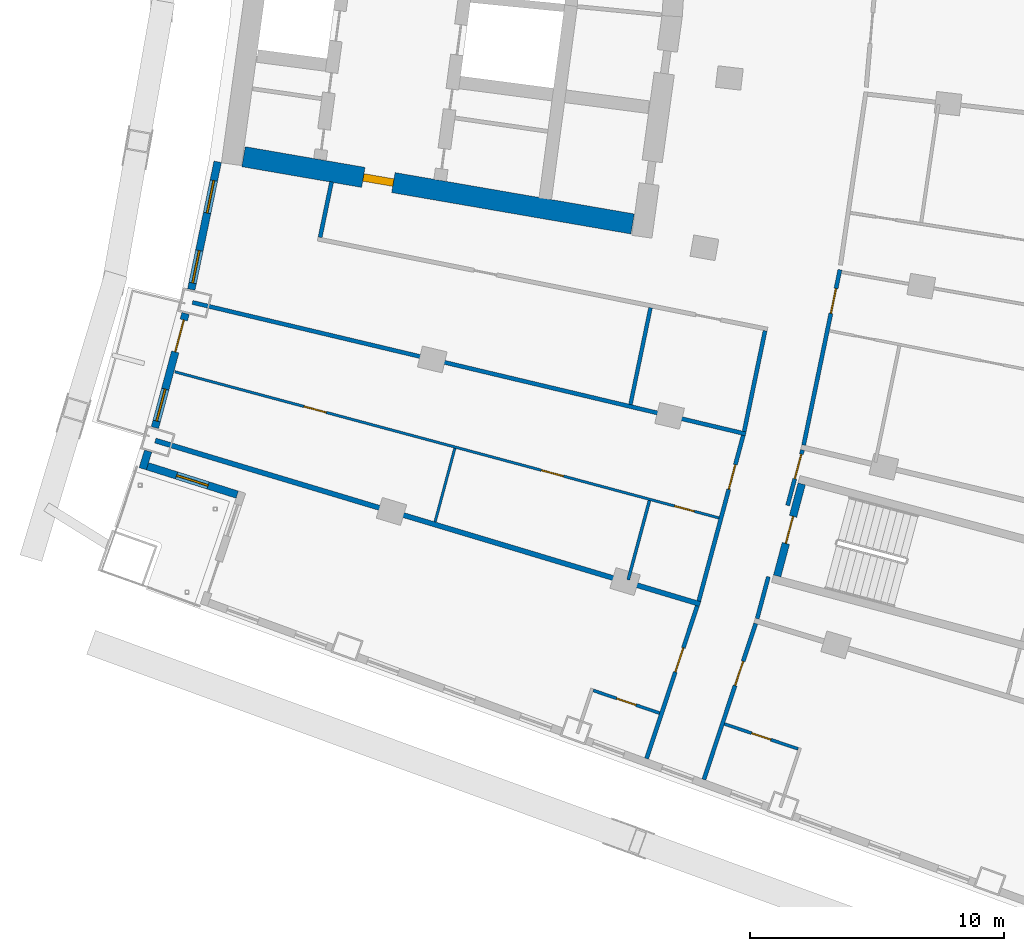
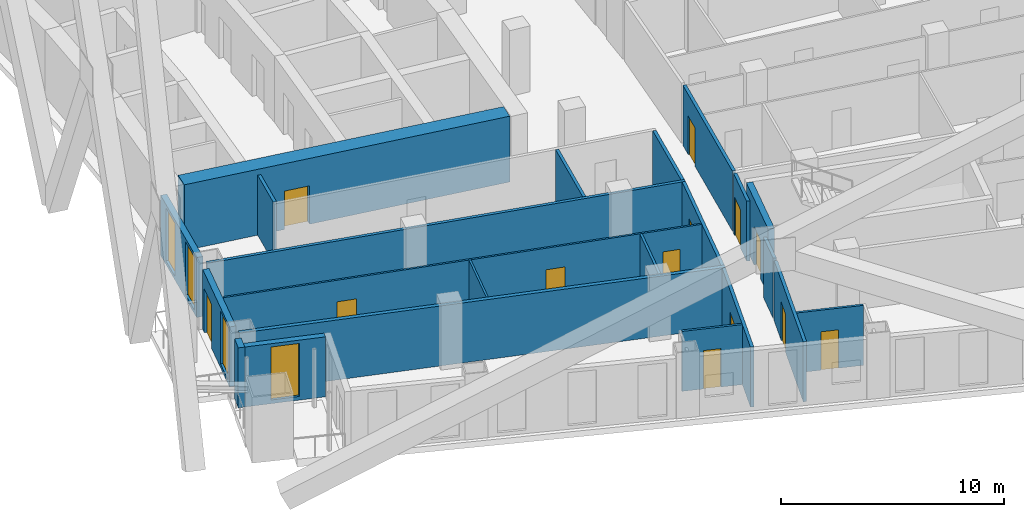
# One storey, part 14 of 26: 22 walls, 13 doors, 4 windows, 17 openings.
"""IFC4 building model written with IfcOpenShell, lengths in metres."""

from ifc_helpers import new_model, si_unit, direction, frame, frame_2d, origin, place, context, subcontext, project, spatial, rectangle, extrude, material, layer, layer_set, type_object, element, fill, save


model = new_model("IFC4")

# Units and contexts
model_context = context("Model", 3, precision=1e-05, world=origin(), true_north=direction((0.0, 1.0)))
body_context = subcontext(model_context, "Body", "Model", "MODEL_VIEW")
ifc_project = project(units=[si_unit("LENGTHUNIT", "METRE"), si_unit("AREAUNIT", "SQUARE_METRE"), si_unit("VOLUMEUNIT", "CUBIC_METRE"), si_unit("PLANEANGLEUNIT", "RADIAN"), si_unit("MASSUNIT", "GRAM", prefix="KILO")], contexts=[model_context])

# Site, building, storey
site_placement = place(None, origin())
site = spatial("IfcSite", under=ifc_project, at=site_placement, CompositionType="ELEMENT")
building_placement = place(site_placement, origin())
building = spatial("IfcBuilding", under=site, at=building_placement, Name="Alderwake Tower", CompositionType="ELEMENT")
storey_placement = place(building_placement, frame((0.0, 0.0, 82.39990234375)))
storey = spatial("IfcBuildingStorey", under=building, at=storey_placement, Name="L19", CompositionType="ELEMENT", Elevation=82.39990234375)

# Wall, opening, door
ifc_material_1 = material(Name="Concrete C70/85", Category="concrete")
ifc_layer_1 = layer(ifc_material_1, 0.800048828125)
ifc_layer_set_1 = layer_set([ifc_layer_1], Name="Core wall outer 800 C70-85")
wall_type_1 = type_object("IfcWallType", Name="Core wall outer 800 C70-85", PredefinedType="SHEAR", material=ifc_layer_set_1)
wall_1_placement = place(storey_placement, frame((31.20458984375, 41.776611328125, 0.0), z_axis=(0.0, 0.0, 1.0), x_axis=(-0.985386537175, 0.170333121719, 0.0)))
wall_1 = element("IfcWall", 1, at=wall_1_placement, inside=storey, type_object=wall_type_1, Name="Core wall CW.071", PredefinedType="SHEAR", context=body_context, shape_type="SweptSolid", body=[
    extrude(rectangle(XDim=15.537109375, YDim=0.800048828125, at=frame_2d((7.7685546875, 0.0))), origin(), (0.0, 0.0, 1.0), 3.60009765625),
])
opening_1_placement = place(wall_1_placement, frame((9.5537109375, 0.0, 0.0)))
opening_1 = element("IfcOpeningElement", 2, at=opening_1_placement, cuts=wall_1, Name="Opening C003", PredefinedType="OPENING", context=body_context, shape_type="SweptSolid", body=[
    extrude(rectangle(XDim=1.199951171875, YDim=2.10009765625, at=frame_2d((0.60009765625, 1.050048828125))), frame((0.0, 0.409912109375, 0.0), z_axis=(0.0, -1.0, 0.0), x_axis=(1.0, 0.0, 0.0)), (0.0, 0.0, 1.0), 0.820068359375),
])
ifc_material_2 = material(Name="Steel-framed fire door leaf", Category="steel")
door_type_1 = type_object("IfcDoorType", Name="Core lobby exit door 1200 fire-rated", OperationType="SINGLE_SWING_LEFT", PredefinedType="DOOR", material=ifc_material_2)
door_1_placement = place(opening_1_placement, origin())
door_1 = element("IfcDoor", 3, at=door_1_placement, inside=storey, type_object=door_type_1, Name="Lobby door", OperationType="SINGLE_SWING_LEFT", OverallHeight=2.10009765625, OverallWidth=1.199951171875, PredefinedType="DOOR", context=body_context, shape_type="SweptSolid", body=[
    extrude(rectangle(XDim=1.199951171875, YDim=2.10009765625, at=frame_2d((0.60009765625, 1.050048828125))), frame((0.0, 0.14990234375, 0.0), z_axis=(0.0, -1.0, 0.0), x_axis=(1.0, 0.0, 0.0)), (0.0, 0.0, 1.0), 0.300048828125),
])
fill(opening_1, door_1)

ifc_material_3 = material(Name="Concrete C70/85", Category="concrete")
ifc_layer_2 = layer(ifc_material_3, 0.300048828125)
ifc_layer_set_2 = layer_set([ifc_layer_2], Name="Core wall stair enclosure 300 C70-85")
wall_type_2 = type_object("IfcWallType", Name="Core wall stair enclosure 300 C70-85", PredefinedType="SHEAR", material=ifc_layer_set_2)
wall_2_placement = place(storey_placement, frame((36.89501953125, 27.923828125, 0.0), z_axis=(0.0, 0.0, 1.0), x_axis=(0.257350630826, 0.966318090907, 0.0)))
wall_2 = element("IfcWall", 4, at=wall_2_placement, inside=storey, type_object=wall_type_2, Name="Core wall CW.087", PredefinedType="SHEAR", context=body_context, shape_type="SweptSolid", body=[
    extrude(rectangle(XDim=3.75, YDim=0.300048828125, at=frame_2d((1.875, 0.0))), origin(), (0.0, 0.0, 1.0), 3.60009765625),
])
opening_2_placement = place(wall_2_placement, frame((1.324951171875, 0.0, 0.0)))
opening_2 = element("IfcOpeningElement", 5, at=opening_2_placement, cuts=wall_2, Name="Opening C065", PredefinedType="OPENING", context=body_context, shape_type="SweptSolid", body=[
    extrude(rectangle(XDim=1.10009765625, YDim=2.10009765625, at=frame_2d((0.550048828125, 1.050048828125))), frame((0.0, 0.159912109375, 0.0), z_axis=(0.0, -1.0, 0.0), x_axis=(1.0, 0.0, 0.0)), (0.0, 0.0, 1.0), 0.320068359375),
])
ifc_material_4 = material(Name="Steel-framed fire door leaf", Category="steel")
door_type_2 = type_object("IfcDoorType", Name="Core stair door 1100 fire-rated", OperationType="SINGLE_SWING_LEFT", PredefinedType="DOOR", material=ifc_material_4)
door_2_placement = place(opening_2_placement, origin())
door_2 = element("IfcDoor", 6, at=door_2_placement, inside=storey, type_object=door_type_2, Name="Stair door", OperationType="SINGLE_SWING_RIGHT", OverallHeight=2.10009765625, OverallWidth=1.10009765625, PredefinedType="DOOR", context=body_context, shape_type="SweptSolid", body=[
    extrude(rectangle(XDim=1.10009765625, YDim=2.10009765625, at=frame_2d((0.550048828125, 1.050048828125))), frame((0.0, 0.02490234375, 0.0), z_axis=(0.0, -1.0, 0.0), x_axis=(1.0, 0.0, 0.0)), (0.0, 0.0, 1.0), 0.050048828125),
])
fill(opening_2, door_2)

# Walls
ifc_material_5 = material(Name="Gypsum board on metal studs, rated")
ifc_layer_3 = layer(ifc_material_5, 0.159912109375)
ifc_layer_set_3 = layer_set([ifc_layer_3], Name="Corridor wall 160")
wall_type_3 = type_object("IfcWallType", Name="Corridor wall 160", PredefinedType="PARTITIONING", material=ifc_layer_set_3)
wall_3_placement = place(storey_placement, frame((13.884033203125, 38.68798828125, 0.0), z_axis=(0.0, 0.0, 1.0), x_axis=(0.972893462073, -0.231253781493, 0.0)))
element("IfcWall", 7, at=wall_3_placement, inside=storey, type_object=wall_type_3, Name="WL/L19/W15", PredefinedType="PARTITIONING", context=body_context, shape_type="SweptSolid", body=[
    extrude(rectangle(XDim=22.38037109375, YDim=0.159912109375, at=frame_2d((11.190185546875, 0.0))), origin(), (0.0, 0.0, 1.0), 3.280029296875),
])
wall_4_placement = place(storey_placement, frame((19.35888671875, 43.430908203125, 0.0), z_axis=(0.0, 0.0, 1.0), x_axis=(-0.202554916658, -0.979270905183, 0.0)))
element("IfcWall", 8, at=wall_4_placement, inside=storey, type_object=wall_type_3, Name="WL/L19/W19", PredefinedType="PARTITIONING", context=body_context, shape_type="SweptSolid", body=[
    extrude(rectangle(XDim=2.229736328125, YDim=0.159912109375, at=frame_2d((1.11474609375, 0.0))), origin(), (0.0, 0.0, 1.0), 3.280029296875),
])

# Wall, opening, door
wall_5_placement = place(storey_placement, frame((31.7548828125, 20.739013671875, 0.0), z_axis=(0.0, 0.0, 1.0), x_axis=(0.31554473692, 0.948910701279, 0.0)))
wall_5 = element("IfcWall", 9, at=wall_5_placement, inside=storey, type_object=wall_type_3, Name="WL/L19/W21", PredefinedType="PARTITIONING", context=body_context, shape_type="SweptSolid", body=[
    extrude(rectangle(XDim=6.327392578125, YDim=0.159912109375, at=frame_2d((3.16357421875, 0.0))), origin(), (0.0, 0.0, 1.0), 3.280029296875),
])
opening_3_placement = place(wall_5_placement, frame((3.59130859375, 0.0, 0.0)))
opening_3 = element("IfcOpeningElement", 10, at=opening_3_placement, cuts=wall_5, Name="Opening R05-U09.1", PredefinedType="OPENING", context=body_context, shape_type="SweptSolid", body=[
    extrude(rectangle(XDim=1.0, YDim=2.10009765625, at=frame_2d((0.5, 1.050048828125))), frame((0.0, 0.08984375, 0.0), z_axis=(0.0, -1.0, 0.0), x_axis=(1.0, 0.0, 0.0)), (0.0, 0.0, 1.0), 0.179931640625),
])
ifc_material_6 = material(Name="Solid timber leaf in steel frame", Category="steel")
door_type_3 = type_object("IfcDoorType", Name="Flat entrance door 1000 fire-rated", OperationType="SINGLE_SWING_LEFT", PredefinedType="DOOR", material=ifc_material_6)
door_3_placement = place(opening_3_placement, origin())
door_3 = element("IfcDoor", 11, at=door_3_placement, inside=storey, type_object=door_type_3, Name="DR/L19/U09.1", OperationType="SINGLE_SWING_LEFT", OverallHeight=2.10009765625, OverallWidth=1.0, PredefinedType="DOOR", context=body_context, shape_type="SweptSolid", body=[
    extrude(rectangle(XDim=1.0, YDim=2.10009765625, at=frame_2d((0.5, 1.050048828125))), frame((0.0, 0.02490234375, 0.0), z_axis=(0.0, -1.0, 0.0), x_axis=(1.0, 0.0, 0.0)), (0.0, 0.0, 1.0), 0.050048828125),
])
fill(opening_3, door_3)

wall_6_placement = place(storey_placement, frame((33.808837890625, 26.9345703125, 0.0), z_axis=(0.0, 0.0, 1.0), x_axis=(0.259298911818, 0.965797118618, 0.0)))
wall_6 = element("IfcWall", 12, at=wall_6_placement, inside=storey, type_object=wall_type_3, Name="WL/L19/W22", PredefinedType="PARTITIONING", context=body_context, shape_type="SweptSolid", body=[
    extrude(rectangle(XDim=6.75, YDim=0.159912109375, at=frame_2d((3.375, 0.0))), origin(), (0.0, 0.0, 1.0), 3.280029296875),
])
opening_4_placement = place(wall_6_placement, frame((4.5576171875, 0.0, 0.0)))
opening_4 = element("IfcOpeningElement", 13, at=opening_4_placement, cuts=wall_6, Name="Opening R05-U10.2", PredefinedType="OPENING", context=body_context, shape_type="SweptSolid", body=[
    extrude(rectangle(XDim=1.0, YDim=2.10009765625, at=frame_2d((0.5, 1.050048828125))), frame((0.0, 0.08984375, 0.0), z_axis=(0.0, -1.0, 0.0), x_axis=(1.0, 0.0, 0.0)), (0.0, 0.0, 1.0), 0.179931640625),
])
door_4_placement = place(opening_4_placement, origin())
door_4 = element("IfcDoor", 14, at=door_4_placement, inside=storey, type_object=door_type_3, Name="DR/L19/U10.2", OperationType="SINGLE_SWING_LEFT", OverallHeight=2.10009765625, OverallWidth=1.0, PredefinedType="DOOR", context=body_context, shape_type="SweptSolid", body=[
    extrude(rectangle(XDim=1.0, YDim=2.10009765625, at=frame_2d((0.5, 1.050048828125))), frame((0.0, 0.02490234375, 0.0), z_axis=(0.0, -1.0, 0.0), x_axis=(1.0, 0.0, 0.0)), (0.0, 0.0, 1.0), 0.050048828125),
])
fill(opening_4, door_4)

wall_7_placement = place(storey_placement, frame((36.049560546875, 26.052978515625, 0.0), z_axis=(0.0, 0.0, 1.0), x_axis=(-0.315151894598, -0.949041244273, 0.0)))
wall_7 = element("IfcWall", 15, at=wall_7_placement, inside=storey, type_object=wall_type_3, Name="WL/L19/W24", PredefinedType="PARTITIONING", context=body_context, shape_type="SweptSolid", body=[
    extrude(rectangle(XDim=6.468505859375, YDim=0.159912109375, at=frame_2d((3.234375, 0.0))), origin(), (0.0, 0.0, 1.0), 3.280029296875),
])
opening_5_placement = place(wall_7_placement, frame((1.570068359375, 0.0, 0.0)))
opening_5 = element("IfcOpeningElement", 16, at=opening_5_placement, cuts=wall_7, Name="Opening R05-U03.1", PredefinedType="OPENING", context=body_context, shape_type="SweptSolid", body=[
    extrude(rectangle(XDim=1.0, YDim=2.10009765625, at=frame_2d((0.5, 1.050048828125))), frame((0.0, 0.08984375, 0.0), z_axis=(0.0, -1.0, 0.0), x_axis=(1.0, 0.0, 0.0)), (0.0, 0.0, 1.0), 0.179931640625),
])
door_5_placement = place(opening_5_placement, origin())
door_5 = element("IfcDoor", 17, at=door_5_placement, inside=storey, type_object=door_type_3, Name="DR/L19/U03.1", OperationType="SINGLE_SWING_LEFT", OverallHeight=2.10009765625, OverallWidth=1.0, PredefinedType="DOOR", context=body_context, shape_type="SweptSolid", body=[
    extrude(rectangle(XDim=1.0, YDim=2.10009765625, at=frame_2d((0.5, 1.050048828125))), frame((0.0, 0.02490234375, 0.0), z_axis=(0.0, -1.0, 0.0), x_axis=(1.0, 0.0, 0.0)), (0.0, 0.0, 1.0), 0.050048828125),
])
fill(opening_5, door_5)

# Walls
wall_8_placement = place(storey_placement, frame((36.10693359375, 26.24462890625, 0.0), z_axis=(0.0, 0.0, 1.0), x_axis=(0.259346865847, 0.965784242559, 0.0)))
element("IfcWall", 18, at=wall_8_placement, inside=storey, type_object=wall_type_3, Name="WL/L19/W26", PredefinedType="PARTITIONING", context=body_context, shape_type="SweptSolid", body=[
    extrude(rectangle(XDim=1.704833984375, YDim=0.159912109375, at=frame_2d((0.8525390625, 0.0))), origin(), (0.0, 0.0, 1.0), 3.280029296875),
])
wall_9_placement = place(storey_placement, frame((36.418701171875, 37.57177734375, 0.0), z_axis=(0.0, 0.0, 1.0), x_axis=(-0.203245920818, -0.979127721838, 0.0)))
element("IfcWall", 19, at=wall_9_placement, inside=storey, type_object=wall_type_3, Name="WL/L19/W28", PredefinedType="PARTITIONING", context=body_context, shape_type="SweptSolid", body=[
    extrude(rectangle(XDim=4.046875, YDim=0.159912109375, at=frame_2d((2.0234375, 0.0))), origin(), (0.0, 0.0, 1.0), 3.280029296875),
])

# Wall, opening, door
wall_10_placement = place(storey_placement, frame((37.89111328125, 32.87939453125, 0.0), z_axis=(0.0, 0.0, 1.0), x_axis=(-0.259620578816, -0.965710699462, 0.0)))
wall_10 = element("IfcWall", 20, at=wall_10_placement, inside=storey, type_object=wall_type_3, Name="WL/L19/W31", PredefinedType="PARTITIONING", context=body_context, shape_type="SweptSolid", body=[
    extrude(rectangle(XDim=2.2578125, YDim=0.159912109375, at=frame_2d((1.12890625, 0.0))), origin(), (0.0, 0.0, 1.0), 3.280029296875),
])
opening_6_placement = place(wall_10_placement, frame((0.1708984375, 0.0, 0.0)))
opening_6 = element("IfcOpeningElement", 21, at=opening_6_placement, cuts=wall_10, Name="Opening R05-U01.1", PredefinedType="OPENING", context=body_context, shape_type="SweptSolid", body=[
    extrude(rectangle(XDim=1.0, YDim=2.10009765625, at=frame_2d((0.5, 1.050048828125))), frame((0.0, 0.08984375, 0.0), z_axis=(0.0, -1.0, 0.0), x_axis=(1.0, 0.0, 0.0)), (0.0, 0.0, 1.0), 0.179931640625),
])
door_6_placement = place(opening_6_placement, origin())
door_6 = element("IfcDoor", 22, at=door_6_placement, inside=storey, type_object=door_type_3, Name="DR/L19/U01.1", OperationType="SINGLE_SWING_LEFT", OverallHeight=2.10009765625, OverallWidth=1.0, PredefinedType="DOOR", context=body_context, shape_type="SweptSolid", body=[
    extrude(rectangle(XDim=1.0, YDim=2.10009765625, at=frame_2d((0.5, 1.050048828125))), frame((0.0, 0.02490234375, 0.0), z_axis=(0.0, -1.0, 0.0), x_axis=(1.0, 0.0, 0.0)), (0.0, 0.0, 1.0), 0.050048828125),
])
fill(opening_6, door_6)

wall_11_placement = place(storey_placement, frame((39.3642578125, 39.975341796875, 0.0), z_axis=(0.0, 0.0, 1.0), x_axis=(-0.202487611378, -0.979284824368, 0.0)))
wall_11 = element("IfcWall", 23, at=wall_11_placement, inside=storey, type_object=wall_type_3, Name="WL/L19/W32", PredefinedType="PARTITIONING", context=body_context, shape_type="SweptSolid", body=[
    extrude(rectangle(XDim=7.04736328125, YDim=0.159912109375, at=frame_2d((3.523681640625, 0.0))), origin(), (0.0, 0.0, 1.0), 3.280029296875),
])
opening_7_placement = place(wall_11_placement, frame((0.7568359375, 0.0, 0.0)))
opening_7 = element("IfcOpeningElement", 24, at=opening_7_placement, cuts=wall_11, Name="Opening R05-U05.2", PredefinedType="OPENING", context=body_context, shape_type="SweptSolid", body=[
    extrude(rectangle(XDim=1.0, YDim=2.10009765625, at=frame_2d((0.5, 1.050048828125))), frame((0.0, 0.08984375, 0.0), z_axis=(0.0, -1.0, 0.0), x_axis=(1.0, 0.0, 0.0)), (0.0, 0.0, 1.0), 0.179931640625),
])
door_7_placement = place(opening_7_placement, origin())
door_7 = element("IfcDoor", 25, at=door_7_placement, inside=storey, type_object=door_type_3, Name="DR/L19/U05.2", OperationType="SINGLE_SWING_LEFT", OverallHeight=2.10009765625, OverallWidth=1.0, PredefinedType="DOOR", context=body_context, shape_type="SweptSolid", body=[
    extrude(rectangle(XDim=1.0, YDim=2.10009765625, at=frame_2d((0.5, 1.050048828125))), frame((0.0, 0.02490234375, 0.0), z_axis=(0.0, -1.0, 0.0), x_axis=(1.0, 0.0, 0.0)), (0.0, 0.0, 1.0), 0.050048828125),
])
fill(opening_7, door_7)

# Wall
ifc_material_7 = material(Name="Precast concrete C50/60 spandrel panel", Category="concrete")
ifc_layer_4 = layer(ifc_material_7, 0.300048828125)
ifc_layer_set_4 = layer_set([ifc_layer_4], Name="External wall EW1 Precast concrete C50/60 spandrel")
wall_type_4 = type_object("IfcWallType", Name="External wall EW1 Precast concrete C50/60 spandrel", PredefinedType="SOLIDWALL", material=ifc_layer_set_4)
wall_12_placement = place(storey_placement, frame((12.14013671875, 32.83837890625, 0.0), z_axis=(0.0, 0.0, 1.0), x_axis=(-0.294604532955, -0.955619259518, 0.0)))
element("IfcWall", 26, at=wall_12_placement, inside=storey, type_object=wall_type_4, Name="External wall 1", PredefinedType="SOLIDWALL", context=body_context, shape_type="SweptSolid", body=[
    extrude(rectangle(XDim=0.7275390625, YDim=0.300048828125, at=frame_2d((0.36376953125, 0.0))), origin(), (0.0, 0.0, 1.0), 3.280029296875),
])

# Wall, openings, windows
wall_13_placement = place(storey_placement, frame((14.878173828125, 44.223388671875, 0.0), z_axis=(0.0, 0.0, 1.0), x_axis=(-0.202723539143, -0.979236011734, 0.0)))
wall_13 = element("IfcWall", 27, at=wall_13_placement, inside=storey, type_object=wall_type_4, Name="External wall 35", PredefinedType="SOLIDWALL", context=body_context, shape_type="SweptSolid", body=[
    extrude(rectangle(XDim=5.134033203125, YDim=0.300048828125, at=frame_2d((2.56689453125, 0.0))), origin(), (0.0, 0.0, 1.0), 3.280029296875),
])
opening_8_placement = place(wall_13_placement, frame((0.75634765625, 0.0, 0.199951171875)))
opening_8 = element("IfcOpeningElement", 28, at=opening_8_placement, cuts=wall_13, Name="Opening W1", PredefinedType="OPENING", context=body_context, shape_type="SweptSolid", body=[
    extrude(rectangle(XDim=1.300048828125, YDim=2.89990234375, at=frame_2d((0.64990234375, 1.449951171875))), frame((0.0, 0.159912109375, 0.0), z_axis=(0.0, -1.0, 0.0), x_axis=(1.0, 0.0, 0.0)), (0.0, 0.0, 1.0), 0.320068359375),
])
opening_9_placement = place(wall_13_placement, frame((3.569091796875, 0.0, 0.199951171875)))
opening_9 = element("IfcOpeningElement", 29, at=opening_9_placement, cuts=wall_13, Name="Opening W1", PredefinedType="OPENING", context=body_context, shape_type="SweptSolid", body=[
    extrude(rectangle(XDim=1.300048828125, YDim=2.89990234375, at=frame_2d((0.64990234375, 1.449951171875))), frame((0.0, 0.159912109375, 0.0), z_axis=(0.0, -1.0, 0.0), x_axis=(1.0, 0.0, 0.0)), (0.0, 0.0, 1.0), 0.320068359375),
])
ifc_material_8 = material(Name="Bronze tinted glass in aluminium frame", Category="aluminium")
window_type = type_object("IfcWindowType", Name="Window W1 tall fixed and vent", PartitioningType="DOUBLE_PANEL_VERTICAL", PredefinedType="WINDOW", material=ifc_material_8)
window_1_placement = place(opening_8_placement, origin())
window_1 = element("IfcWindow", 30, at=window_1_placement, inside=storey, type_object=window_type, Name="Window W1 tall fixed and vent", OverallHeight=2.89990234375, OverallWidth=1.300048828125, PartitioningType="DOUBLE_PANEL_VERTICAL", PredefinedType="WINDOW", context=body_context, shape_type="SweptSolid", body=[
    extrude(rectangle(XDim=1.300048828125, YDim=2.89990234375, at=frame_2d((0.64990234375, 1.449951171875))), frame((0.0, 0.030029296875, 0.0), z_axis=(0.0, -1.0, 0.0), x_axis=(1.0, 0.0, 0.0)), (0.0, 0.0, 1.0), 0.06005859375),
])
fill(opening_8, window_1)
window_2_placement = place(opening_9_placement, origin())
window_2 = element("IfcWindow", 31, at=window_2_placement, inside=storey, type_object=window_type, Name="Window W1 tall fixed and vent", OverallHeight=2.89990234375, OverallWidth=1.300048828125, PartitioningType="DOUBLE_PANEL_VERTICAL", PredefinedType="WINDOW", context=body_context, shape_type="SweptSolid", body=[
    extrude(rectangle(XDim=1.300048828125, YDim=2.89990234375, at=frame_2d((0.64990234375, 1.449951171875))), frame((0.0, 0.030029296875, 0.0), z_axis=(0.0, -1.0, 0.0), x_axis=(1.0, 0.0, 0.0)), (0.0, 0.0, 1.0), 0.06005859375),
])
fill(opening_9, window_2)

# Wall, openings, door, window
wall_14_placement = place(storey_placement, frame((13.61328125, 38.254150390625, 0.0), z_axis=(0.0, 0.0, 1.0), x_axis=(-0.259468933642, -0.965751454814, 0.0)))
wall_14 = element("IfcWall", 32, at=wall_14_placement, inside=storey, type_object=wall_type_4, Name="External wall 36", PredefinedType="SOLIDWALL", context=body_context, shape_type="SweptSolid", body=[
    extrude(rectangle(XDim=4.65087890625, YDim=0.300048828125, at=frame_2d((2.325439453125, 0.0))), origin(), (0.0, 0.0, 1.0), 3.280029296875),
])
opening_10_placement = place(wall_14_placement, frame((0.26708984375, 0.0, 0.0)))
opening_10 = element("IfcOpeningElement", 33, at=opening_10_placement, cuts=wall_14, Name="Opening D15", PredefinedType="OPENING", context=body_context, shape_type="SweptSolid", body=[
    extrude(rectangle(XDim=1.300048828125, YDim=2.39990234375, at=frame_2d((0.64990234375, 1.199951171875))), frame((0.0, 0.159912109375, 0.0), z_axis=(0.0, -1.0, 0.0), x_axis=(1.0, 0.0, 0.0)), (0.0, 0.0, 1.0), 0.320068359375),
])
opening_11_placement = place(wall_14_placement, frame((3.083984375, 0.0, 0.199951171875)))
opening_11 = element("IfcOpeningElement", 34, at=opening_11_placement, cuts=wall_14, Name="Opening W1", PredefinedType="OPENING", context=body_context, shape_type="SweptSolid", body=[
    extrude(rectangle(XDim=1.300048828125, YDim=2.89990234375, at=frame_2d((0.64990234375, 1.449951171875))), frame((0.0, 0.159912109375, 0.0), z_axis=(0.0, -1.0, 0.0), x_axis=(1.0, 0.0, 0.0)), (0.0, 0.0, 1.0), 0.320068359375),
])
ifc_material_9 = material(Name="Bronze tinted glass in aluminium frame", Category="aluminium")
door_type_4 = type_object("IfcDoorType", Name="Balcony door BD sliding", OperationType="SLIDING_TO_LEFT", PredefinedType="DOOR", material=ifc_material_9)
door_8_placement = place(opening_10_placement, origin())
door_8 = element("IfcDoor", 35, at=door_8_placement, inside=storey, type_object=door_type_4, Name="Door D15", OperationType="SLIDING_TO_LEFT", OverallHeight=2.39990234375, OverallWidth=1.300048828125, PredefinedType="DOOR", context=body_context, shape_type="SweptSolid", body=[
    extrude(rectangle(XDim=1.300048828125, YDim=2.39990234375, at=frame_2d((0.64990234375, 1.199951171875))), frame((0.0, 0.02490234375, 0.0), z_axis=(0.0, -1.0, 0.0), x_axis=(1.0, 0.0, 0.0)), (0.0, 0.0, 1.0), 0.050048828125),
])
fill(opening_10, door_8)
window_3_placement = place(opening_11_placement, origin())
window_3 = element("IfcWindow", 36, at=window_3_placement, inside=storey, type_object=window_type, Name="Window W1 tall fixed and vent", OverallHeight=2.89990234375, OverallWidth=1.300048828125, PartitioningType="DOUBLE_PANEL_VERTICAL", PredefinedType="WINDOW", context=body_context, shape_type="SweptSolid", body=[
    extrude(rectangle(XDim=1.300048828125, YDim=2.89990234375, at=frame_2d((0.64990234375, 1.449951171875))), frame((0.0, 0.030029296875, 0.0), z_axis=(0.0, -1.0, 0.0), x_axis=(1.0, 0.0, 0.0)), (0.0, 0.0, 1.0), 0.06005859375),
])
fill(opening_11, window_3)

# Wall, opening, window
ifc_material_10 = material(Name="Bronze metal cladding on lightweight framing")
ifc_layer_5 = layer(ifc_material_10, 0.300048828125)
ifc_layer_set_5 = layer_set([ifc_layer_5], Name="External wall EW2 bronze metal cladding")
wall_type_5 = type_object("IfcWallType", Name="External wall EW2 bronze metal cladding", PredefinedType="SOLIDWALL", material=ifc_layer_set_5)
wall_15_placement = place(storey_placement, frame((12.113037109375, 32.2412109375, 0.0), z_axis=(0.0, 0.0, 1.0), x_axis=(0.953458128271, -0.301525451054, 0.0)))
wall_15 = element("IfcWall", 37, at=wall_15_placement, inside=storey, type_object=wall_type_5, Name="External wall 2", PredefinedType="SOLIDWALL", context=body_context, shape_type="SweptSolid", body=[
    extrude(rectangle(XDim=3.705810546875, YDim=0.300048828125, at=frame_2d((1.85302734375, 0.0))), origin(), (0.0, 0.0, 1.0), 3.280029296875),
])
opening_12_placement = place(wall_15_placement, frame((1.202880859375, 0.0, 0.199951171875)))
opening_12 = element("IfcOpeningElement", 38, at=opening_12_placement, cuts=wall_15, Name="Opening W1", PredefinedType="OPENING", context=body_context, shape_type="SweptSolid", body=[
    extrude(rectangle(XDim=1.300048828125, YDim=2.89990234375, at=frame_2d((0.64990234375, 1.449951171875))), frame((0.0, 0.159912109375, 0.0), z_axis=(0.0, -1.0, 0.0), x_axis=(1.0, 0.0, 0.0)), (0.0, 0.0, 1.0), 0.320068359375),
])
window_4_placement = place(opening_12_placement, origin())
window_4 = element("IfcWindow", 39, at=window_4_placement, inside=storey, type_object=window_type, Name="Window W1 tall fixed and vent", OverallHeight=2.89990234375, OverallWidth=1.300048828125, PartitioningType="DOUBLE_PANEL_VERTICAL", PredefinedType="WINDOW", context=body_context, shape_type="SweptSolid", body=[
    extrude(rectangle(XDim=1.300048828125, YDim=2.89990234375, at=frame_2d((0.64990234375, 1.449951171875))), frame((0.0, 0.030029296875, 0.0), z_axis=(0.0, -1.0, 0.0), x_axis=(1.0, 0.0, 0.0)), (0.0, 0.0, 1.0), 0.06005859375),
])
fill(opening_12, window_4)

# Walls
ifc_material_11 = material(Name="Dense block masonry wall", Category="masonry")
ifc_layer_6 = layer(ifc_material_11, 0.199951171875)
ifc_layer_set_6 = layer_set([ifc_layer_6], Name="Party wall 200")
wall_type_6 = type_object("IfcWallType", Name="Party wall 200", PredefinedType="SOLIDWALL", material=ifc_layer_set_6)
wall_16_placement = place(storey_placement, frame((33.859619140625, 26.81494140625, 0.0), z_axis=(0.0, 0.0, 1.0), x_axis=(-0.95775179957, 0.287596054251, 0.0)))
element("IfcWall", 40, at=wall_16_placement, inside=storey, type_object=wall_type_6, Name="WL/L19/W03", PredefinedType="SOLIDWALL", context=body_context, shape_type="SweptSolid", body=[
    extrude(rectangle(XDim=22.382080078125, YDim=0.199951171875, at=frame_2d((11.19091796875, 0.0))), origin(), (0.0, 0.0, 1.0), 3.280029296875),
])
ifc_material_12 = material(Name="Gypsum shaft wall system, rated")
ifc_layer_7 = layer(ifc_material_12, 0.14990234375)
ifc_layer_set_7 = layer_set([ifc_layer_7], Name="Riser and shaft wall 150")
wall_type_7 = type_object("IfcWallType", Name="Riser and shaft wall 150", PredefinedType="PARTITIONING", material=ifc_layer_set_7)
wall_17_placement = place(storey_placement, frame((31.120361328125, 34.67138671875, 0.0), z_axis=(0.0, 0.0, 1.0), x_axis=(0.203103989328, 0.979157173042, 0.0)))
element("IfcWall", 41, at=wall_17_placement, inside=storey, type_object=wall_type_7, Name="WL/L19/W11", PredefinedType="PARTITIONING", context=body_context, shape_type="SweptSolid", body=[
    extrude(rectangle(XDim=3.887451171875, YDim=0.14990234375, at=frame_2d((1.94384765625, 0.0))), origin(), (0.0, 0.0, 1.0), 3.280029296875),
])

# Wall, openings, doors
ifc_material_13 = material(Name="Gypsum board on metal studs")
ifc_layer_8 = layer(ifc_material_13, 0.10009765625)
ifc_layer_set_8 = layer_set([ifc_layer_8], Name="Unit partition 100")
wall_type_8 = type_object("IfcWallType", Name="Unit partition 100", PredefinedType="PARTITIONING", material=ifc_layer_set_8)
wall_18_placement = place(storey_placement, frame((34.605712890625, 30.206787109375, 0.0), z_axis=(0.0, 0.0, 1.0), x_axis=(-0.965767846078, 0.259407917152, 0.0)))
wall_18 = element("IfcWall", 42, at=wall_18_placement, inside=storey, type_object=wall_type_8, Name="WL/L19/W64", PredefinedType="PARTITIONING", context=body_context, shape_type="SweptSolid", body=[
    extrude(rectangle(XDim=22.170654296875, YDim=0.10009765625, at=frame_2d((11.08544921875, 0.0))), origin(), (0.0, 0.0, 1.0), 3.280029296875),
])
opening_13_placement = place(wall_18_placement, frame((6.335205078125, 0.0, 0.0)))
opening_13 = element("IfcOpeningElement", 43, at=opening_13_placement, cuts=wall_18, Name="Opening R05-U10.1", PredefinedType="OPENING", context=body_context, shape_type="SweptSolid", body=[
    extrude(rectangle(XDim=0.89990234375, YDim=2.10009765625, at=frame_2d((0.449951171875, 1.050048828125))), frame((0.0, 0.06005859375, 0.0), z_axis=(0.0, -1.0, 0.0), x_axis=(1.0, 0.0, 0.0)), (0.0, 0.0, 1.0), 0.1201171875),
])
opening_14_placement = place(wall_18_placement, frame((1.010009765625, 0.0, 0.0)))
opening_14 = element("IfcOpeningElement", 44, at=opening_14_placement, cuts=wall_18, Name="Opening R05-U10.3", PredefinedType="OPENING", context=body_context, shape_type="SweptSolid", body=[
    extrude(rectangle(XDim=0.800048828125, YDim=2.10009765625, at=frame_2d((0.39990234375, 1.050048828125))), frame((0.0, 0.06005859375, 0.0), z_axis=(0.0, -1.0, 0.0), x_axis=(1.0, 0.0, 0.0)), (0.0, 0.0, 1.0), 0.1201171875),
])
opening_15_placement = place(wall_18_placement, frame((16.010498046875, 0.0, 0.0)))
opening_15 = element("IfcOpeningElement", 45, at=opening_15_placement, cuts=wall_18, Name="Opening R05-U10.4", PredefinedType="OPENING", context=body_context, shape_type="SweptSolid", body=[
    extrude(rectangle(XDim=0.89990234375, YDim=2.10009765625, at=frame_2d((0.449951171875, 1.050048828125))), frame((0.0, 0.06005859375, 0.0), z_axis=(0.0, -1.0, 0.0), x_axis=(1.0, 0.0, 0.0)), (0.0, 0.0, 1.0), 0.1201171875),
])
ifc_material_14 = material(Name="Painted timber leaf", Category="wood")
door_type_5 = type_object("IfcDoorType", Name="Bathroom door 800", OperationType="SINGLE_SWING_LEFT", PredefinedType="DOOR", material=ifc_material_14)
door_9_placement = place(opening_14_placement, origin())
door_9 = element("IfcDoor", 46, at=door_9_placement, inside=storey, type_object=door_type_5, Name="DR/L19/U10.3", OperationType="SINGLE_SWING_LEFT", OverallHeight=2.10009765625, OverallWidth=0.800048828125, PredefinedType="DOOR", context=body_context, shape_type="SweptSolid", body=[
    extrude(rectangle(XDim=0.800048828125, YDim=2.10009765625, at=frame_2d((0.39990234375, 1.050048828125))), frame((0.0, 0.02490234375, 0.0), z_axis=(0.0, -1.0, 0.0), x_axis=(1.0, 0.0, 0.0)), (0.0, 0.0, 1.0), 0.050048828125),
])
fill(opening_14, door_9)
ifc_material_15 = material(Name="Painted timber leaf", Category="wood")
door_type_6 = type_object("IfcDoorType", Name="Room door 900", OperationType="SINGLE_SWING_LEFT", PredefinedType="DOOR", material=ifc_material_15)
door_10_placement = place(opening_13_placement, origin())
door_10 = element("IfcDoor", 47, at=door_10_placement, inside=storey, type_object=door_type_6, Name="DR/L19/U10.1", OperationType="SINGLE_SWING_LEFT", OverallHeight=2.10009765625, OverallWidth=0.89990234375, PredefinedType="DOOR", context=body_context, shape_type="SweptSolid", body=[
    extrude(rectangle(XDim=0.89990234375, YDim=2.10009765625, at=frame_2d((0.449951171875, 1.050048828125))), frame((0.0, 0.02490234375, 0.0), z_axis=(0.0, -1.0, 0.0), x_axis=(1.0, 0.0, 0.0)), (0.0, 0.0, 1.0), 0.050048828125),
])
fill(opening_13, door_10)
door_11_placement = place(opening_15_placement, origin())
door_11 = element("IfcDoor", 48, at=door_11_placement, inside=storey, type_object=door_type_6, Name="DR/L19/U10.4", OperationType="SINGLE_SWING_LEFT", OverallHeight=2.10009765625, OverallWidth=0.89990234375, PredefinedType="DOOR", context=body_context, shape_type="SweptSolid", body=[
    extrude(rectangle(XDim=0.89990234375, YDim=2.10009765625, at=frame_2d((0.449951171875, 1.050048828125))), frame((0.0, 0.02490234375, 0.0), z_axis=(0.0, -1.0, 0.0), x_axis=(1.0, 0.0, 0.0)), (0.0, 0.0, 1.0), 0.050048828125),
])
fill(opening_15, door_11)

# Walls
wall_19_placement = place(storey_placement, frame((24.208984375, 32.94580078125, 0.0), z_axis=(0.0, 0.0, 1.0), x_axis=(-0.259310212645, -0.965794084481, 0.0)))
element("IfcWall", 49, at=wall_19_placement, inside=storey, type_object=wall_type_8, Name="WL/L19/W65", PredefinedType="PARTITIONING", context=body_context, shape_type="SweptSolid", body=[
    extrude(rectangle(XDim=2.996826171875, YDim=0.10009765625, at=frame_2d((1.49853515625, 0.0))), origin(), (0.0, 0.0, 1.0), 3.280029296875),
])
ifc_material_16 = material(Name="Moisture resistant gypsum board on metal studs")
ifc_layer_9 = layer(ifc_material_16, 0.1201171875)
ifc_layer_set_9 = layer_set([ifc_layer_9], Name="Wet room partition 120")
wall_type_9 = type_object("IfcWallType", Name="Wet room partition 120", PredefinedType="PARTITIONING", material=ifc_layer_set_9)
wall_20_placement = place(storey_placement, frame((31.867919921875, 30.8876953125, 0.0), z_axis=(0.0, 0.0, 1.0), x_axis=(-0.259149206489, -0.96583729933, 0.0)))
element("IfcWall", 50, at=wall_20_placement, inside=storey, type_object=wall_type_9, Name="WL/L19/W48", PredefinedType="PARTITIONING", context=body_context, shape_type="SweptSolid", body=[
    extrude(rectangle(XDim=3.2294921875, YDim=0.1201171875, at=frame_2d((1.61474609375, 0.0))), origin(), (0.0, 0.0, 1.0), 3.280029296875),
])

# Wall, opening, door
wall_21_placement = place(storey_placement, frame((32.264404296875, 22.52587890625, 0.0), z_axis=(0.0, 0.0, 1.0), x_axis=(-0.946049080569, 0.324023358964, 0.0)))
wall_21 = element("IfcWall", 51, at=wall_21_placement, inside=storey, type_object=wall_type_9, Name="WL/L19/W49", PredefinedType="PARTITIONING", context=body_context, shape_type="SweptSolid", body=[
    extrude(rectangle(XDim=2.758544921875, YDim=0.1201171875, at=frame_2d((1.37939453125, 0.0))), origin(), (0.0, 0.0, 1.0), 3.280029296875),
])
opening_16_placement = place(wall_21_placement, frame((0.979248046875, 0.0, 0.0)))
opening_16 = element("IfcOpeningElement", 52, at=opening_16_placement, cuts=wall_21, Name="Opening R05-U09.2", PredefinedType="OPENING", context=body_context, shape_type="SweptSolid", body=[
    extrude(rectangle(XDim=0.800048828125, YDim=2.10009765625, at=frame_2d((0.39990234375, 1.050048828125))), frame((0.0, 0.070068359375, 0.0), z_axis=(0.0, -1.0, 0.0), x_axis=(1.0, 0.0, 0.0)), (0.0, 0.0, 1.0), 0.14013671875),
])
door_12_placement = place(opening_16_placement, origin())
door_12 = element("IfcDoor", 53, at=door_12_placement, inside=storey, type_object=door_type_5, Name="DR/L19/U09.2", OperationType="SINGLE_SWING_LEFT", OverallHeight=2.10009765625, OverallWidth=0.800048828125, PredefinedType="DOOR", context=body_context, shape_type="SweptSolid", body=[
    extrude(rectangle(XDim=0.800048828125, YDim=2.10009765625, at=frame_2d((0.39990234375, 1.050048828125))), frame((0.0, 0.02490234375, 0.0), z_axis=(0.0, -1.0, 0.0), x_axis=(1.0, 0.0, 0.0)), (0.0, 0.0, 1.0), 0.050048828125),
])
fill(opening_16, door_12)

wall_22_placement = place(storey_placement, frame((37.71630859375, 21.1181640625, 0.0), z_axis=(0.0, 0.0, 1.0), x_axis=(-0.947164130145, 0.320749295505, 0.0)))
wall_22 = element("IfcWall", 54, at=wall_22_placement, inside=storey, type_object=wall_type_9, Name="WL/L19/W52", PredefinedType="PARTITIONING", context=body_context, shape_type="SweptSolid", body=[
    extrude(rectangle(XDim=3.05908203125, YDim=0.1201171875, at=frame_2d((1.529541015625, 0.0))), origin(), (0.0, 0.0, 1.0), 3.280029296875),
])
opening_17_placement = place(wall_22_placement, frame((1.12939453125, 0.0, 0.0)))
opening_17 = element("IfcOpeningElement", 55, at=opening_17_placement, cuts=wall_22, Name="Opening R05-U03.2", PredefinedType="OPENING", context=body_context, shape_type="SweptSolid", body=[
    extrude(rectangle(XDim=0.800048828125, YDim=2.10009765625, at=frame_2d((0.39990234375, 1.050048828125))), frame((0.0, 0.070068359375, 0.0), z_axis=(0.0, -1.0, 0.0), x_axis=(1.0, 0.0, 0.0)), (0.0, 0.0, 1.0), 0.14013671875),
])
door_13_placement = place(opening_17_placement, origin())
door_13 = element("IfcDoor", 56, at=door_13_placement, inside=storey, type_object=door_type_5, Name="DR/L19/U03.2", OperationType="SINGLE_SWING_LEFT", OverallHeight=2.10009765625, OverallWidth=0.800048828125, PredefinedType="DOOR", context=body_context, shape_type="SweptSolid", body=[
    extrude(rectangle(XDim=0.800048828125, YDim=2.10009765625, at=frame_2d((0.39990234375, 1.050048828125))), frame((0.0, 0.02490234375, 0.0), z_axis=(0.0, -1.0, 0.0), x_axis=(1.0, 0.0, 0.0)), (0.0, 0.0, 1.0), 0.050048828125),
])
fill(opening_17, door_13)

save(model, "model.ifc")
